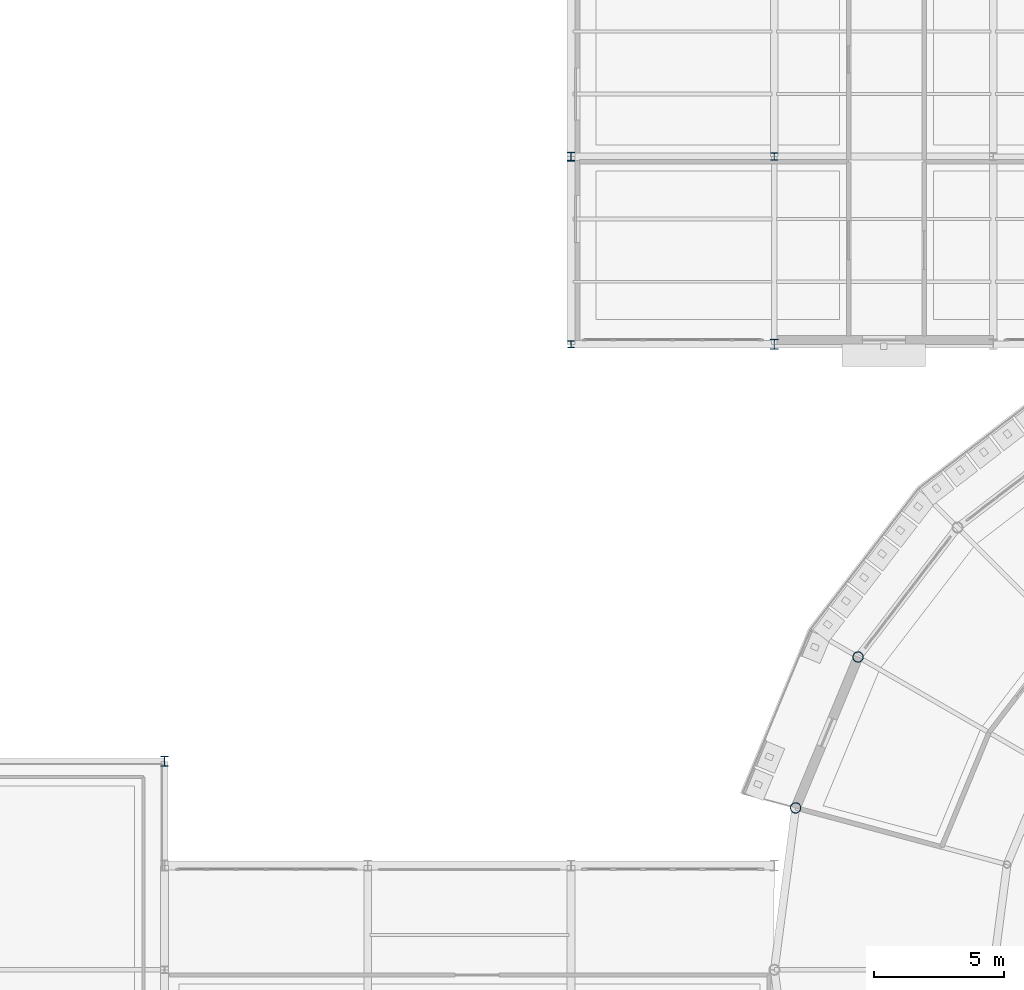
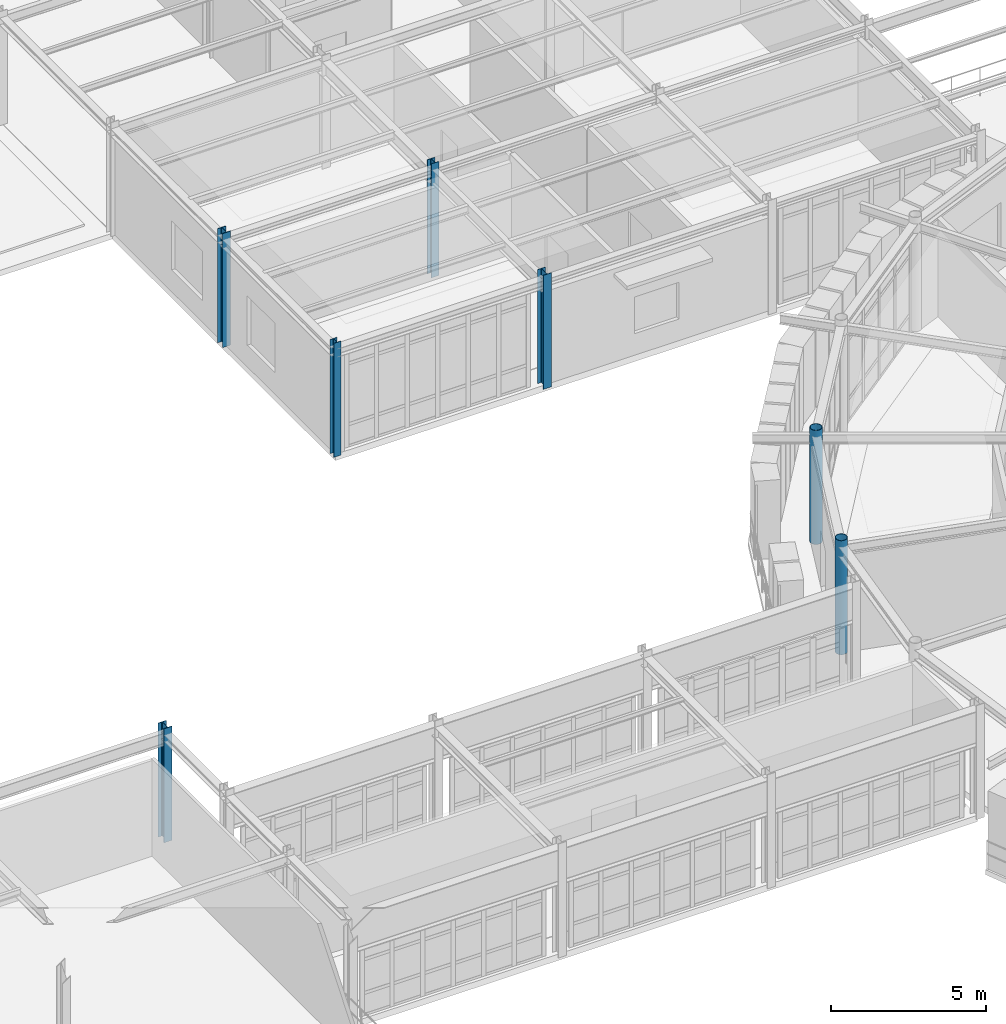
# One storey, part 15 of 106: 7 columns.
"""IFC4 building model written with IfcOpenShell, lengths in metres."""

from ifc_helpers import new_model, si_unit, derived_unit, direction, frame, origin, origin_2d, place, context, subcontext, project, spatial, hollow_circle, i_section, extrude, material, material_profile, profile_set, type_object, element, save


model = new_model("IFC4")

# Units and contexts
model_context = context("Model", 3, precision=1e-05, world=origin(), true_north=direction((0.0, 1.0)))
body_context = subcontext(model_context, "Body", "Model", "MODEL_VIEW")
ifc_project = project(units=[si_unit("LENGTHUNIT", "METRE"), si_unit("AREAUNIT", "SQUARE_METRE"), si_unit("VOLUMEUNIT", "CUBIC_METRE"), si_unit("PLANEANGLEUNIT", "RADIAN"), si_unit("MASSUNIT", "GRAM", prefix="KILO"), derived_unit("THERMALTRANSMITTANCEUNIT", [(si_unit("POWERUNIT", "WATT"), 1), (si_unit("AREAUNIT", "SQUARE_METRE"), -1), (si_unit("THERMODYNAMICTEMPERATUREUNIT", "KELVIN"), -1)])], contexts=[model_context])

# Site, building, storey
site_placement = place(None, origin())
site = spatial("IfcSite", under=ifc_project, at=site_placement, CompositionType="ELEMENT")
building_placement = place(site_placement, origin())
building = spatial("IfcBuilding", under=site, at=building_placement, Name="Yasenodar Specialist Clinic", CompositionType="ELEMENT")
storey_placement = place(building_placement, frame((0.0, 0.0, 4.5)))
storey = spatial("IfcBuildingStorey", under=building, at=storey_placement, Name="L01", CompositionType="ELEMENT", Elevation=4.5)

# Columns
ifc_material = material(Name="Steel S355", Category="steel")
ifc_material_profile_1 = material_profile(ifc_material, hollow_circle(Radius=0.203125, WallThickness=0.01611328125, at=origin_2d()), Name="CHS 406.4x16")
ifc_profile_set_1 = profile_set([ifc_material_profile_1], Name="Steel S355")
column_type_1 = type_object("IfcColumnType", Name="COL-ST-CHS406", PredefinedType="COLUMN", material=ifc_profile_set_1)
for number, where, z_axis, x_axis, name in (
    (1, (60.21533203125, 70.800048828125, 0.0), (0.0, 0.0, 1.0), (1.0, 0.0, 0.0), "L01 Drum V1 Outer Column 11"),
    (2, (57.81787109375, 65.01171875, 0.0), (0.0, 0.0, 1.0), (1.0, 0.0, 0.0), "L01 Drum V1 Outer Column 12"),
):
    element("IfcColumn", number, at=place(storey_placement, frame(where, z_axis=z_axis, x_axis=x_axis)), inside=storey, type_object=column_type_1, Name=name, PredefinedType="COLUMN", context=body_context, shape_type="SweptSolid", body=[
        extrude(hollow_circle(Radius=0.203125, WallThickness=0.01611328125, at=origin_2d()), origin(), (0.0, 0.0, 1.0), 4.5),
    ])
ifc_material_profile_2 = material_profile(ifc_material, i_section(OverallWidth=0.300048828125, OverallDepth=0.389892578125, WebThickness=0.010986328125, FlangeThickness=0.01904296875, FilletRadius=0.027099609375, at=origin_2d()), Name="HEA 400")
ifc_profile_set_2 = profile_set([ifc_material_profile_2], Name="Steel S355")
column_type_2 = type_object("IfcColumnType", Name="COL-ST-HEA400", PredefinedType="COLUMN", material=ifc_profile_set_2)
for number, where, z_axis, x_axis, name in (
    (3, (33.60009765625, 66.800048828125, 0.0), (0.0, 0.0, 1.0), (1.0, 0.0, 0.0), "L01 Column V4-068"),
    (4, (57.0, 82.800048828125, 0.0), (0.0, 0.0, 1.0), (1.0, 0.0, 0.0), "L01 Column V5-088"),
):
    element("IfcColumn", number, at=place(storey_placement, frame(where, z_axis=z_axis, x_axis=x_axis)), inside=storey, type_object=column_type_2, Name=name, PredefinedType="COLUMN", context=body_context, shape_type="SweptSolid", body=[
        extrude(i_section(OverallWidth=0.300048828125, OverallDepth=0.389892578125, WebThickness=0.010986328125, FlangeThickness=0.01904296875, FilletRadius=0.027099609375, at=origin_2d()), origin(), (0.0, 0.0, 1.0), 4.5),
    ])
ifc_material_profile_3 = material_profile(ifc_material, i_section(OverallWidth=0.260009765625, OverallDepth=0.260009765625, WebThickness=0.010009765625, FlangeThickness=0.017578125, FilletRadius=0.02392578125, at=origin_2d()), Name="HEB 260")
ifc_profile_set_3 = profile_set([ifc_material_profile_3], Name="Steel S355")
column_type_3 = type_object("IfcColumnType", Name="COL-ST-HEB260", PredefinedType="COLUMN", material=ifc_profile_set_3)
column_1_placement = place(storey_placement, frame((49.199951171875, 82.800048828125, 0.0), z_axis=(0.0, 0.0, 1.0), x_axis=(1.0, 0.0, 0.0)))
element("IfcColumn", 5, at=column_1_placement, inside=storey, type_object=column_type_3, Name="L01 Column V5-081", PredefinedType="COLUMN", context=body_context, shape_type="SweptSolid", body=[
    extrude(i_section(OverallWidth=0.260009765625, OverallDepth=0.260009765625, WebThickness=0.010009765625, FlangeThickness=0.017578125, FilletRadius=0.02392578125, at=origin_2d()), origin(), (0.0, 0.0, 1.0), 4.5),
])
ifc_material_profile_4 = material_profile(ifc_material, i_section(OverallWidth=0.280029296875, OverallDepth=0.280029296875, WebThickness=0.010498046875, FlangeThickness=0.01806640625, FilletRadius=0.02392578125, at=origin_2d()), Name="HEB 280")
ifc_profile_set_4 = profile_set([ifc_material_profile_4], Name="Steel S355")
column_type_4 = type_object("IfcColumnType", Name="COL-ST-HEB280", PredefinedType="COLUMN", material=ifc_profile_set_4)
column_2_placement = place(storey_placement, frame((57.0, 90.0, 0.0), z_axis=(0.0, 0.0, 1.0), x_axis=(1.0, 0.0, 0.0)))
element("IfcColumn", 6, at=column_2_placement, inside=storey, type_object=column_type_4, Name="L01 Column V5-089", PredefinedType="COLUMN", context=body_context, shape_type="SweptSolid", body=[
    extrude(i_section(OverallWidth=0.280029296875, OverallDepth=0.280029296875, WebThickness=0.010498046875, FlangeThickness=0.01806640625, FilletRadius=0.02392578125, at=origin_2d()), origin(), (0.0, 0.0, 1.0), 4.5),
])
ifc_material_profile_5 = material_profile(ifc_material, i_section(OverallWidth=0.300048828125, OverallDepth=0.340087890625, WebThickness=0.011962890625, FlangeThickness=0.021484375, FilletRadius=0.027099609375, at=origin_2d()), Name="HEB 340")
ifc_profile_set_5 = profile_set([ifc_material_profile_5], Name="Steel S355")
column_type_5 = type_object("IfcColumnType", Name="COL-ST-HEB340", PredefinedType="COLUMN", material=ifc_profile_set_5)
column_3_placement = place(storey_placement, frame((49.199951171875, 90.0, 0.0), z_axis=(0.0, 0.0, 1.0), x_axis=(1.0, 0.0, 0.0)))
element("IfcColumn", 7, at=column_3_placement, inside=storey, type_object=column_type_5, Name="L01 Column V5-082", PredefinedType="COLUMN", context=body_context, shape_type="SweptSolid", body=[
    extrude(i_section(OverallWidth=0.300048828125, OverallDepth=0.340087890625, WebThickness=0.011962890625, FlangeThickness=0.021484375, FilletRadius=0.027099609375, at=origin_2d()), origin(), (0.0, 0.0, 1.0), 4.5),
])

save(model, "model.ifc")
